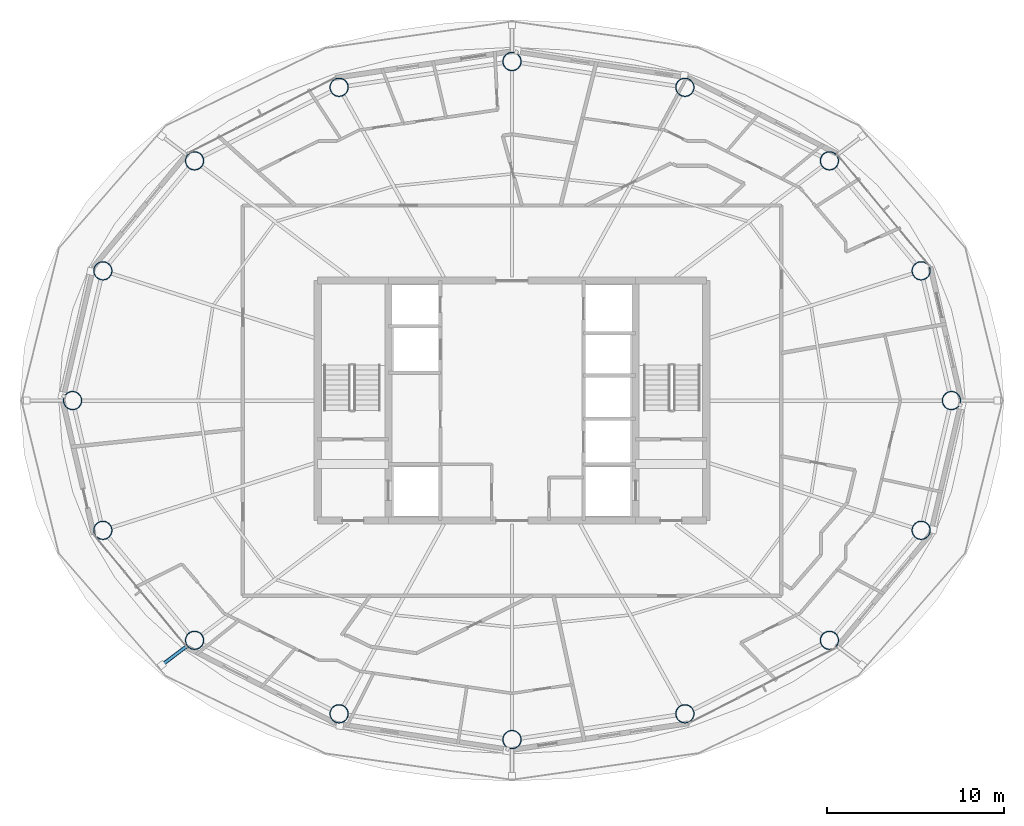
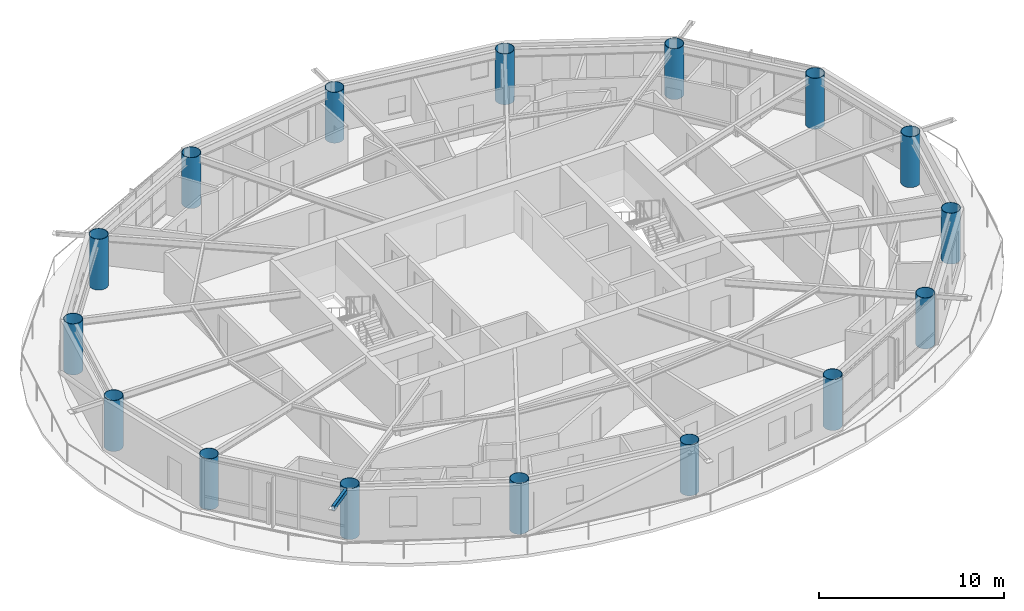
# One storey, part 1 of 23: 16 columns, 1 member.
"""IFC4 building model written with IfcOpenShell, lengths in metres."""

from ifc_helpers import new_model, si_unit, direction, frame, origin, origin_2d, place, context, subcontext, project, spatial, hollow_rectangle, hollow_circle, extrude, material, material_profile, profile_set, type_object, element, save


model = new_model("IFC4")

# Units and contexts
model_context = context("Model", 3, precision=1e-05, world=origin(), true_north=direction((0.0, 1.0)))
body_context = subcontext(model_context, "Body", "Model", "MODEL_VIEW")
ifc_project = project(units=[si_unit("LENGTHUNIT", "METRE"), si_unit("AREAUNIT", "SQUARE_METRE"), si_unit("VOLUMEUNIT", "CUBIC_METRE"), si_unit("PLANEANGLEUNIT", "RADIAN"), si_unit("MASSUNIT", "GRAM", prefix="KILO")], contexts=[model_context])

# Site, building, storey
site_placement = place(None, origin())
site = spatial("IfcSite", under=ifc_project, at=site_placement, CompositionType="ELEMENT")
building_placement = place(site_placement, origin())
building = spatial("IfcBuilding", under=site, at=building_placement, Name="Sarneth Arch Tower", CompositionType="ELEMENT")
storey_placement = place(building_placement, frame((0.0, 0.0, 249.60009765625)))
storey = spatial("IfcBuildingStorey", under=building, at=storey_placement, Name="L64", CompositionType="ELEMENT", Elevation=249.60009765625)

# Columns
ifc_material_1 = material(Name="Steel S355", Category="steel")
ifc_material_profile_1 = material_profile(ifc_material_1, hollow_circle(Radius=0.52490234375, WallThickness=0.028076171875, at=origin_2d()), Name="CHS1050x28")
ifc_profile_set_1 = profile_set([ifc_material_profile_1], Name="Steel S355")
column_type = type_object("IfcColumnType", Name="COL-MEGA-1050", PredefinedType="COLUMN", material=ifc_profile_set_1)
for number, where, z_axis, x_axis, name in (
    (1, (72.88330078125, 42.0, 0.0), (0.0, 0.0, 1.0), (1.0, 0.0, 0.0), "L64 Perimeter mega-column M01"),
    (2, (71.1689453125, 49.347412109375, 0.0), (0.0, 0.0, 1.0), (1.0, 0.0, 0.0), "L64 Perimeter mega-column M02"),
    (3, (65.975341796875, 55.576416015625, 0.0), (0.0, 0.0, 1.0), (1.0, 0.0, 0.0), "L64 Perimeter mega-column M03"),
    (4, (57.790771484375, 59.738525390625, 0.0), (0.0, 0.0, 1.0), (1.0, 0.0, 0.0), "L64 Perimeter mega-column M04"),
    (5, (48.0, 61.199951171875, 0.0), (0.0, 0.0, 1.0), (1.0, 0.0, 0.0), "L64 Perimeter mega-column M05"),
    (6, (38.209228515625, 59.738525390625, 0.0), (0.0, 0.0, 1.0), (1.0, 0.0, 0.0), "L64 Perimeter mega-column M06"),
    (7, (30.024658203125, 55.576416015625, 0.0), (0.0, 0.0, 1.0), (1.0, 0.0, 0.0), "L64 Perimeter mega-column M07"),
    (8, (24.8310546875, 49.347412109375, 0.0), (0.0, 0.0, 1.0), (1.0, 0.0, 0.0), "L64 Perimeter mega-column M08"),
    (9, (23.11669921875, 42.0, 0.0), (0.0, 0.0, 1.0), (1.0, 0.0, 0.0), "L64 Perimeter mega-column M09"),
    (10, (24.8310546875, 34.652587890625, 0.0), (0.0, 0.0, 1.0), (1.0, 0.0, 0.0), "L64 Perimeter mega-column M10"),
    (11, (30.024658203125, 28.423583984375, 0.0), (0.0, 0.0, 1.0), (1.0, 0.0, 0.0), "L64 Perimeter mega-column M11"),
    (12, (38.209228515625, 24.261474609375, 0.0), (0.0, 0.0, 1.0), (1.0, 0.0, 0.0), "L64 Perimeter mega-column M12"),
    (13, (48.0, 22.800048828125, 0.0), (0.0, 0.0, 1.0), (1.0, 0.0, 0.0), "L64 Perimeter mega-column M13"),
    (14, (57.790771484375, 24.261474609375, 0.0), (0.0, 0.0, 1.0), (1.0, 0.0, 0.0), "L64 Perimeter mega-column M14"),
    (15, (65.975341796875, 28.423583984375, 0.0), (0.0, 0.0, 1.0), (1.0, 0.0, 0.0), "L64 Perimeter mega-column M15"),
    (16, (71.1689453125, 34.652587890625, 0.0), (0.0, 0.0, 1.0), (1.0, 0.0, 0.0), "L64 Perimeter mega-column M16"),
):
    element("IfcColumn", number, at=place(storey_placement, frame(where, z_axis=z_axis, x_axis=x_axis)), inside=storey, type_object=column_type, Name=name, PredefinedType="COLUMN", context=body_context, shape_type="SweptSolid", body=[
        extrude(hollow_circle(Radius=0.52490234375, WallThickness=0.028076171875, at=origin_2d()), origin(), (0.0, 0.0, 1.0), 3.35986328125),
    ])

# Member
ifc_material_2 = material(Name="Steel S355", Category="steel")
ifc_material_profile_2 = material_profile(ifc_material_2, hollow_rectangle(XDim=0.199951171875, YDim=0.300048828125, WallThickness=0.012451171875, InnerFilletRadius=0.018798828125, OuterFilletRadius=0.03125, at=origin_2d()), Name="RHS300x200x12.5")
ifc_profile_set_2 = profile_set([ifc_material_profile_2], Name="Steel S355")
member_type = type_object("IfcMemberType", Name="MEM-CANT-STRUT", PredefinedType="STRUT", material=ifc_profile_set_2)
member_placement = place(storey_placement, frame((29.60595703125, 28.107177734375, 3.199951171875), z_axis=(-0.797977476404, -0.602687271437, 0.0), x_axis=(0.602687271437, -0.797977476404, 0.0)))
element("IfcMember", 17, at=member_placement, inside=storey, type_object=member_type, Name="L64 Balcony cantilever bracket 11", PredefinedType="STRUT", context=body_context, shape_type="SweptSolid", body=[
    extrude(hollow_rectangle(XDim=0.199951171875, YDim=0.300048828125, WallThickness=0.012451171875, InnerFilletRadius=0.018798828125, OuterFilletRadius=0.03125, at=origin_2d()), origin(), (0.0, 0.0, 1.0), 1.80029296875),
])

save(model, "model.ifc")
